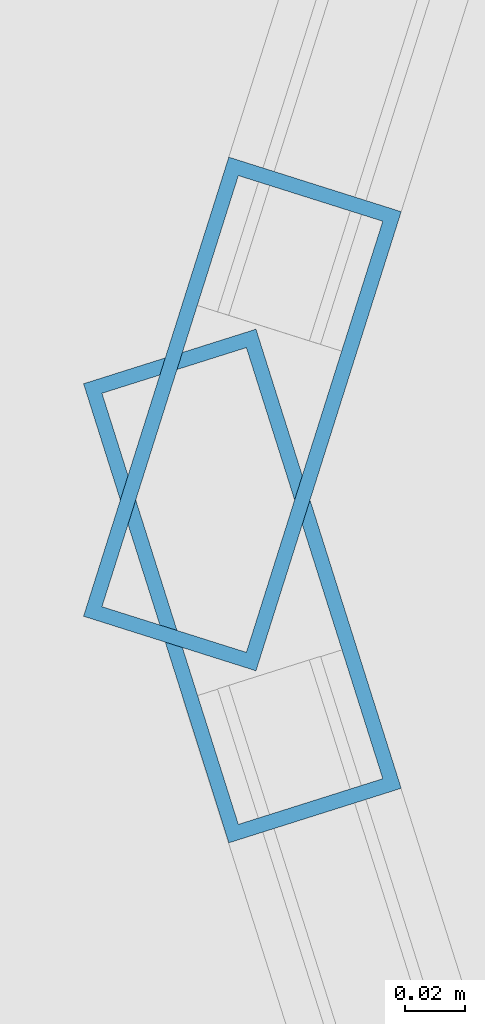
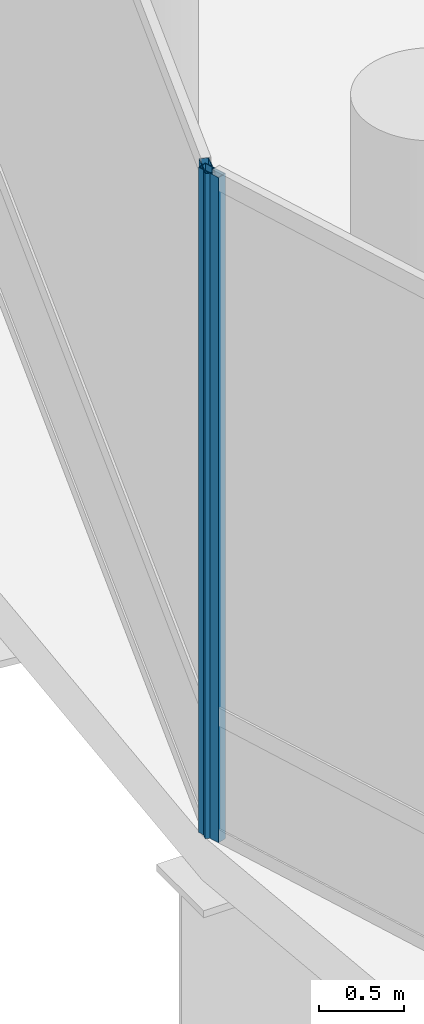
# One storey, part 6 of 29: 2 members, 2 elements without a shape of their own.
"""IFC4 building model written with IfcOpenShell, lengths in metres."""

import ifcopenshell
import ifcopenshell.guid

model = None  # the IFC model being written
_history = None  # IfcOwnerHistory: only IFC2X3 demands one
_inside = {}  # id of a spatial element -> (the spatial element, [elements in it])
_under = {}  # id of a project, library or spatial element -> (it, [spatial elements below it])
_declared = {}  # id of a project -> (the project, [libraries it declares])
_typed = {}  # id of a type object -> (the type object, [elements of that type])
_made_of = {}  # id of a material, layer set ... -> (it, [elements and type objects made of it])


def new_model(schema):
    """Start an empty IFC model of exactly this schema.

    Asked for "IFC4X3", IfcOpenShell would pick the latest addendum, in which some entities
    have other attributes; the version numbers below select the first issue.
    IFC2X3 requires an IfcOwnerHistory on every rooted entity: one is made here for all.
    """
    global model, _history
    if schema == "IFC4X3":
        model = ifcopenshell.file(schema_version=(4, 3, 0, 0))
    else:
        model = ifcopenshell.file(schema=schema)
    _inside.clear()
    _under.clear()
    _declared.clear()
    _typed.clear()
    _made_of.clear()
    _history = None
    if model.schema == "IFC2X3":
        org = make("IfcOrganization", Name="unknown")
        user = make(
            "IfcPersonAndOrganization",
            ThePerson=make("IfcPerson", FamilyName="unknown"),
            TheOrganization=org,
        )
        app = make(
            "IfcApplication",
            ApplicationDeveloper=org,
            Version="unknown",
            ApplicationFullName="unknown",
            ApplicationIdentifier="unknown",
        )
        _history = make(
            "IfcOwnerHistory",
            OwningUser=user,
            OwningApplication=app,
            ChangeAction="ADDED",
            CreationDate=0,
        )
    return model


def make(cls, **values):
    """One entity of the class cls with the attributes given. An attribute that is None is left unset."""
    return model.create_entity(
        cls, **{name: value for name, value in values.items() if value is not None}
    )


def rooted(cls, **values):
    """An entity with a GlobalId (a new one), such as an element, a storey or a relation."""
    return make(cls, GlobalId=ifcopenshell.guid.new(), OwnerHistory=_history, **values)


def si_unit(unit_type, name, prefix=None):
    """IfcSIUnit, for example si_unit("LENGTHUNIT", "METRE", prefix="MILLI")."""
    return make("IfcSIUnit", UnitType=unit_type, Prefix=prefix, Name=name)


def assignment(units):
    """IfcUnitAssignment: the units of a project."""
    return None if units is None else make("IfcUnitAssignment", Units=units)


def point(xyz):
    """IfcCartesianPoint."""
    return None if xyz is None else make("IfcCartesianPoint", Coordinates=xyz)


def direction(xyz):
    """IfcDirection."""
    return None if xyz is None else make("IfcDirection", DirectionRatios=xyz)


def frame(location, z_axis=None, x_axis=None):
    """IfcAxis2Placement3D, a coordinate frame: its origin and axes. An axis left out is left unset."""
    return make(
        "IfcAxis2Placement3D",
        Location=point(location),
        Axis=direction(z_axis),
        RefDirection=direction(x_axis),
    )


def frame_2d(location, x_axis=None):
    """IfcAxis2Placement2D, a coordinate frame in the plane: its origin and x axis."""
    return make(
        "IfcAxis2Placement2D", Location=point(location), RefDirection=direction(x_axis)
    )


def origin():
    """The frame at (0, 0, 0) with its axes left unset."""
    return frame((0.0, 0.0, 0.0))


def origin_2d():
    """The frame at (0, 0) in the plane with its x axis left unset."""
    return frame_2d((0.0, 0.0))


def place(relative_to, where):
    """IfcLocalPlacement: puts the frame where relative to a parent placement (None: the world)."""
    return make(
        "IfcLocalPlacement", PlacementRelTo=relative_to, RelativePlacement=where
    )


def context(
    kind, dimensions, precision=None, world=None, true_north=None, identifier=None
):
    """IfcGeometricRepresentationContext, for example the 3D "Model" context."""
    return make(
        "IfcGeometricRepresentationContext",
        ContextIdentifier=identifier,
        ContextType=kind,
        CoordinateSpaceDimension=dimensions,
        Precision=precision,
        WorldCoordinateSystem=world,
        TrueNorth=true_north,
    )


def subcontext(parent, identifier, kind, view, scale=None):
    """IfcGeometricRepresentationSubContext, for example "Body" below "Model"."""
    return make(
        "IfcGeometricRepresentationSubContext",
        ContextIdentifier=identifier,
        ContextType=kind,
        ParentContext=parent,
        TargetScale=scale,
        TargetView=view,
    )


def project(units=None, contexts=None):
    """IfcProject with its units and contexts."""
    return rooted(
        "IfcProject",
        Name="project",
        RepresentationContexts=contexts,
        UnitsInContext=assignment(units),
    )


def spatial(cls, under=None, at=None, **own):
    """A site, building, storey or space (cls), placed at a placement, below another one or the project."""
    s = rooted(cls, ObjectPlacement=at, **own)
    if under is not None:
        _under.setdefault(under.id(), (under, []))[1].append(s)
    return s


def profile(cls, at=None, kind="AREA", **sizes):
    """A parametric profile (cls). Its sizes go by their IFC names, for example OverallWidth=200.0."""
    return make(cls, ProfileType=kind, Position=at, **sizes)


def hollow_rectangle(**sizes):
    """IfcRectangleHollowProfileDef."""
    return profile("IfcRectangleHollowProfileDef", **sizes)


def extrude(swept, where, along, depth):
    """IfcExtrudedAreaSolid: the profile swept, set in the frame where, extruded along a direction by depth."""
    return make(
        "IfcExtrudedAreaSolid",
        SweptArea=swept,
        Position=where,
        ExtrudedDirection=direction(along),
        Depth=depth,
    )


def shape(context_of_items, identifier, shape_type, items):
    """IfcShapeRepresentation: the items that make up one representation, for example the "Body"."""
    return make(
        "IfcShapeRepresentation",
        ContextOfItems=context_of_items,
        RepresentationIdentifier=identifier,
        RepresentationType=shape_type,
        Items=items,
    )


def material(Name=None, Category=None):
    """IfcMaterial."""
    return make("IfcMaterial", Name=Name, Category=Category)


def layer(
    of_material, thickness, ventilated=None, Name=None, Category=None, Priority=None
):
    """IfcMaterialLayer: one layer of a wall or slab, of a material (None: an air gap)."""
    return make(
        "IfcMaterialLayer",
        Material=of_material,
        LayerThickness=thickness,
        IsVentilated=ventilated,
        Name=Name,
        Category=Category,
        Priority=Priority,
    )


def layer_set(layers, Name=None):
    """IfcMaterialLayerSet."""
    return make("IfcMaterialLayerSet", MaterialLayers=layers, LayerSetName=Name)


def material_profile(
    of_material, cross_section, Name=None, Category=None, Priority=None
):
    """IfcMaterialProfile: a cross section and its material."""
    return make(
        "IfcMaterialProfile",
        Name=Name,
        Material=of_material,
        Profile=cross_section,
        Priority=Priority,
        Category=Category,
    )


def profile_set(profiles, Name=None, composite=None):
    """IfcMaterialProfileSet."""
    return make(
        "IfcMaterialProfileSet",
        Name=Name,
        MaterialProfiles=profiles,
        CompositeProfile=composite,
    )


def made_of(thing, what):
    """Note that an element or type object is made of a material, layer set ...; save() writes the relation."""
    if what is not None:
        _made_of.setdefault(what.id(), (what, []))[1].append(thing)
    return thing


def type_object(cls, material=None, **own):
    """A type object (cls), such as IfcWallType, which elements share."""
    return made_of(rooted(cls, **own), material)


def element(
    cls,
    number,
    at=None,
    inside=None,
    cuts=None,
    type_object=None,
    material=None,
    context=None,
    identifier="Body",
    shape_type=None,
    held_by="IfcProductDefinitionShape",
    body=None,
    shapes=None,
    **own,
):
    """One element of the class cls, such as IfcWall. Its Tag is "e" and its number.

    at: its placement. inside: the storey or other place that contains it. cuts: it is an
    opening in that element (IfcRelVoidsElement). A single representation is given by context,
    identifier, shape_type and body (its items); several are given by shapes. held_by: the class
    of the entity that holds the representations. save() writes the other relations.
    """
    e = rooted(cls, Tag="e%d" % number, ObjectPlacement=at, **own)
    if body is not None:
        shapes = [shape(context, identifier, shape_type, body)]
    if shapes is not None:
        e.Representation = make(held_by, Representations=shapes)
    if inside is not None:
        _inside.setdefault(inside.id(), (inside, []))[1].append(e)
    if cuts is not None:
        rooted(
            "IfcRelVoidsElement", RelatingBuildingElement=cuts, RelatedOpeningElement=e
        )
    if type_object is not None:
        _typed.setdefault(type_object.id(), (type_object, []))[1].append(e)
    return made_of(e, material)


def aggregate(whole, parts):
    """IfcRelAggregates: a whole, such as a stair, and the parts it consists of."""
    return rooted("IfcRelAggregates", RelatingObject=whole, RelatedObjects=parts)


def save(model, path):
    """Write the relations noted so far, then the file.

    IfcRelAggregates (storeys below a building ...), IfcRelContainedInSpatialStructure (elements
    in a storey), IfcRelDefinesByType, IfcRelAssociatesMaterial and IfcRelDeclares: one each for
    every whole, place, type object, material and project.
    """
    for whole, parts in _under.values():
        aggregate(whole, parts)
    for where, things in _inside.values():
        rooted(
            "IfcRelContainedInSpatialStructure",
            RelatedElements=things,
            RelatingStructure=where,
        )
    for kind, things in _typed.values():
        rooted("IfcRelDefinesByType", RelatedObjects=things, RelatingType=kind)
    for what, things in _made_of.values():
        rooted("IfcRelAssociatesMaterial", RelatedObjects=things, RelatingMaterial=what)
    for by, libraries in _declared.values():
        rooted("IfcRelDeclares", RelatingContext=by, RelatedDefinitions=libraries)
    model.write(path)


model = new_model("IFC4")

# Units and contexts
model_context = context("Model", 3, precision=1e-05, world=origin(), true_north=direction((0.0, 1.0)))
body_context = subcontext(model_context, "Body", "Model", "MODEL_VIEW")
ifc_project = project(units=[si_unit("LENGTHUNIT", "METRE"), si_unit("AREAUNIT", "SQUARE_METRE"), si_unit("VOLUMEUNIT", "CUBIC_METRE"), si_unit("PLANEANGLEUNIT", "RADIAN"), si_unit("MASSUNIT", "GRAM", prefix="KILO")], contexts=[model_context])

# Site, building, storey
site_placement = place(None, origin())
site = spatial("IfcSite", under=ifc_project, at=site_placement, CompositionType="ELEMENT")
building_placement = place(site_placement, origin())
building = spatial("IfcBuilding", under=site, at=building_placement, Name="Nuhasar Tower", CompositionType="ELEMENT")
storey_placement = place(building_placement, frame((0.0, 0.0, 113.25)))
storey = spatial("IfcBuildingStorey", under=building, at=storey_placement, Name="L26", CompositionType="ELEMENT", Elevation=113.25)

# Curtain wall, member
ifc_material = material(Name="Aluminium 6063-T6", Category="aluminium")
ifc_layer = layer(ifc_material, 0.239990234375)
ifc_layer_set = layer_set([ifc_layer], Name="Aluminium 6063-T6")
curtain_wall_type = type_object("IfcCurtainWallType", Name="CW-SKY-LBY", PredefinedType="NOTDEFINED", material=ifc_layer_set)
curtain_wall_1_placement = place(storey_placement, origin())
curtain_wall_1 = element("IfcCurtainWall", 1, at=curtain_wall_1_placement, inside=storey, type_object=curtain_wall_type, Name="L26 Unitised Curtain Wall 06", PredefinedType="NOTDEFINED")
ifc_material_profile = material_profile(ifc_material, hollow_rectangle(XDim=0.06005859375, YDim=0.159912109375, WallThickness=0.0048828125, at=origin_2d()), Name="CWM-6")
ifc_profile_set = profile_set([ifc_material_profile], Name="Aluminium 6063-T6")
member_type = type_object("IfcMemberType", Name="CW-MUL-S6", PredefinedType="MULLION", material=ifc_profile_set)
member_1_placement = place(storey_placement, frame((14.149169921875, 26.82861328125, 0.0), z_axis=(0.0, 0.0, 1.0), x_axis=(0.953433389233, -0.301603667577, 0.0)))
member_1 = element("IfcMember", 2, at=member_1_placement, type_object=member_type, Name="CW-SL mullion 2", PredefinedType="MULLION", context=body_context, shape_type="SweptSolid", body=[
    extrude(hollow_rectangle(XDim=0.06005859375, YDim=0.159912109375, WallThickness=0.0048828125, at=origin_2d()), origin(), (0.0, 0.0, 1.0), 4.75),
])
aggregate(curtain_wall_1, [member_1])

curtain_wall_2_placement = place(storey_placement, origin())
curtain_wall_2 = element("IfcCurtainWall", 3, at=curtain_wall_2_placement, inside=storey, type_object=curtain_wall_type, Name="L26 Unitised Curtain Wall 07", PredefinedType="NOTDEFINED")
member_2_placement = place(storey_placement, frame((14.149169921875, 26.771484375, 0.0), z_axis=(0.0, 0.0, 1.0), x_axis=(0.953433389233, 0.301603667577, 0.0)))
member_2 = element("IfcMember", 4, at=member_2_placement, type_object=member_type, Name="CW-SL mullion 1", PredefinedType="MULLION", context=body_context, shape_type="SweptSolid", body=[
    extrude(hollow_rectangle(XDim=0.06005859375, YDim=0.159912109375, WallThickness=0.0048828125, at=origin_2d()), origin(), (0.0, 0.0, 1.0), 4.75),
])
aggregate(curtain_wall_2, [member_2])

save(model, "model.ifc")
